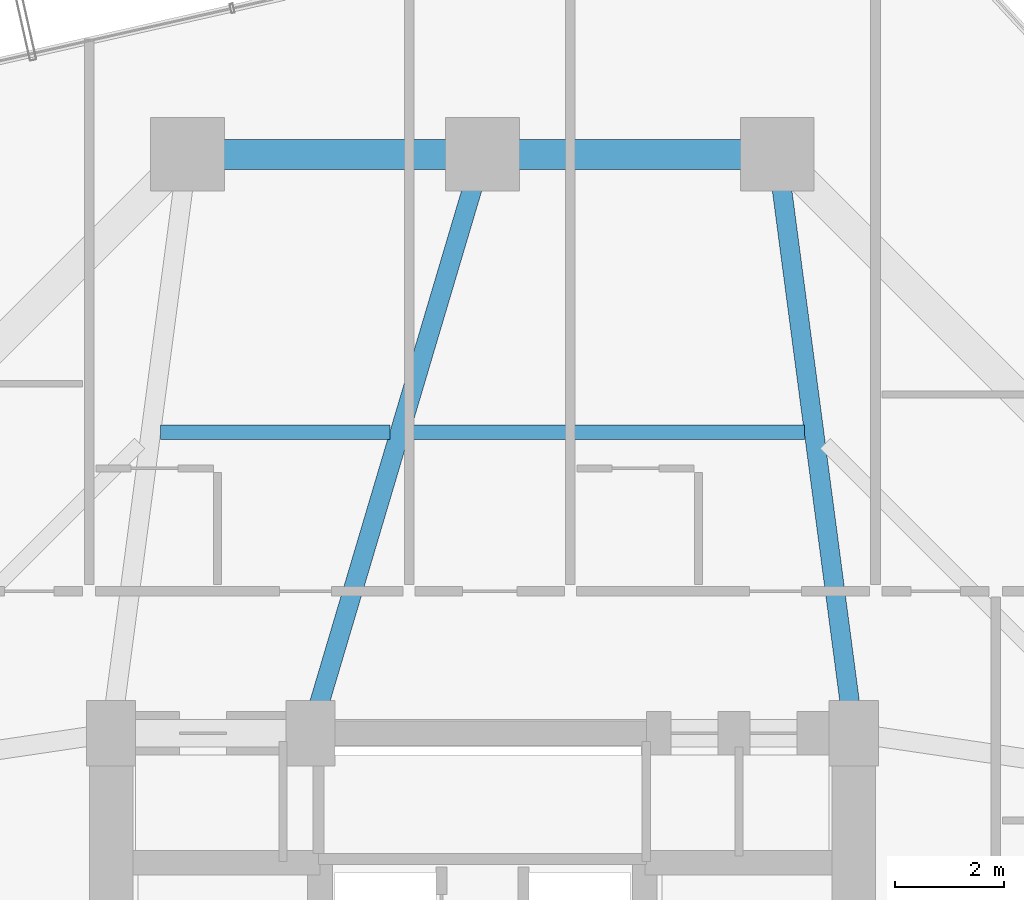
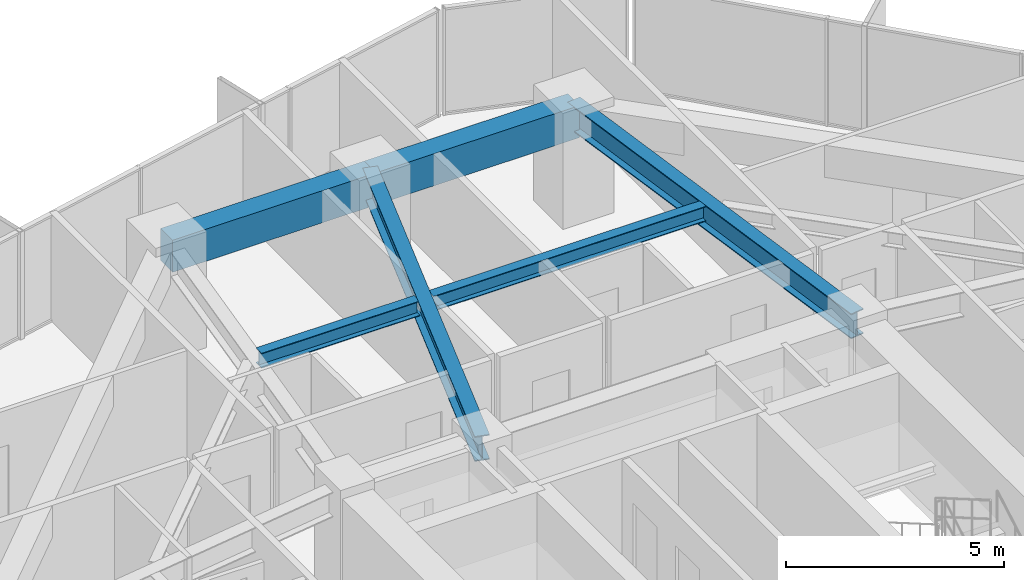
# One storey, part 25 of 39: 6 beams.
"""IFC4 building model written with IfcOpenShell, lengths in metres."""

from ifc_helpers import new_model, si_unit, direction, frame, origin, origin_2d, place, context, subcontext, project, spatial, rectangle, i_section, extrude, material, material_profile, profile_set, type_object, element, save


model = new_model("IFC4")

# Units and contexts
model_context = context("Model", 3, precision=1e-05, world=origin(), true_north=direction((0.0, 1.0)))
body_context = subcontext(model_context, "Body", "Model", "MODEL_VIEW")
ifc_project = project(units=[si_unit("LENGTHUNIT", "METRE"), si_unit("AREAUNIT", "SQUARE_METRE"), si_unit("VOLUMEUNIT", "CUBIC_METRE"), si_unit("PLANEANGLEUNIT", "RADIAN"), si_unit("MASSUNIT", "GRAM", prefix="KILO")], contexts=[model_context])

# Site, building, storey
site_placement = place(None, origin())
site = spatial("IfcSite", under=ifc_project, at=site_placement, CompositionType="ELEMENT")
building_placement = place(site_placement, origin())
building = spatial("IfcBuilding", under=site, at=building_placement, Name="Veraguas Prism Commons", CompositionType="ELEMENT")
storey_placement = place(building_placement, frame((0.0, 0.0, 67.35009765625)))
storey = spatial("IfcBuildingStorey", under=building, at=storey_placement, Name="L18", CompositionType="ELEMENT", Elevation=67.35009765625)

# Beams
ifc_material_1 = material(Name="Steel ASTM A992 Grade 50", Category="steel")
ifc_material_profile_1 = material_profile(ifc_material_1, i_section(OverallWidth=0.260986328125, OverallDepth=0.419921875, WebThickness=0.01171875, FlangeThickness=0.019287109375, at=origin_2d()), Name="W410X114")
ifc_profile_set_1 = profile_set([ifc_material_profile_1], Name="Steel ASTM A992 Grade 50")
beam_type_1 = type_object("IfcBeamType", Name="Lower Floor Joist W410x114", PredefinedType="JOIST", material=ifc_profile_set_1)
beam_1_placement = place(storey_placement, frame((29.89453125, 36.511962890625, 2.789794921875), z_axis=(-1.0, 0.0, 0.0), x_axis=(0.0, -1.0, 0.0)))
element("IfcBeam", 1, at=beam_1_placement, inside=storey, type_object=beam_type_1, Name="Composite Floor Joist L18-JS04", PredefinedType="JOIST", context=body_context, shape_type="SweptSolid", body=[
    extrude(i_section(OverallWidth=0.260986328125, OverallDepth=0.419921875, WebThickness=0.01171875, FlangeThickness=0.019287109375, at=origin_2d()), origin(), (0.0, 0.0, 1.0), 7.222900390625),
])
beam_2_placement = place(storey_placement, frame((22.304443359375, 36.511962890625, 2.789794921875), z_axis=(-1.0, 0.0, 0.0), x_axis=(0.0, -1.0, 0.0)))
element("IfcBeam", 2, at=beam_2_placement, inside=storey, type_object=beam_type_1, Name="Composite Floor Joist L18-JS05", PredefinedType="JOIST", context=body_context, shape_type="SweptSolid", body=[
    extrude(i_section(OverallWidth=0.260986328125, OverallDepth=0.419921875, WebThickness=0.01171875, FlangeThickness=0.019287109375, at=origin_2d()), origin(), (0.0, 0.0, 1.0), 4.198974609375),
])
ifc_material_2 = material(Name="Concrete C50/60", Category="concrete")
ifc_material_profile_2 = material_profile(ifc_material_2, rectangle(XDim=0.550048828125, YDim=0.89990234375, at=origin_2d()), Name="RC550X900")
ifc_profile_set_2 = profile_set([ifc_material_profile_2], Name="Concrete C50/60")
beam_type_2 = type_object("IfcBeamType", Name="Perimeter Spandrel Lower RC 550x900", PredefinedType="SPANDREL", material=ifc_profile_set_2)
for number, where, z_axis, x_axis, name in (
    (3, (29.39990234375, 41.60009765625, 2.5498046875), (-1.0, 0.0, 0.0), (0.0, -1.0, 0.0), "Perimeter Spandrel Beam L18-SP04"),
    (4, (24.0, 41.60009765625, 2.5498046875), (-1.0, 0.0, 0.0), (0.0, -1.0, 0.0), "Perimeter Spandrel Beam L18-SP05"),
):
    element("IfcBeam", number, at=place(storey_placement, frame(where, z_axis=z_axis, x_axis=x_axis)), inside=storey, type_object=beam_type_2, Name=name, PredefinedType="SPANDREL", context=body_context, shape_type="SweptSolid", body=[
        extrude(rectangle(XDim=0.550048828125, YDim=0.89990234375, at=origin_2d()), origin(), (0.0, 0.0, 1.0), 5.39990234375),
    ])
ifc_material_profile_3 = material_profile(ifc_material_1, i_section(OverallWidth=0.35595703125, OverallDepth=0.700927734375, WebThickness=0.016845703125, FlangeThickness=0.02734375, at=origin_2d()), Name="W690X240")
ifc_profile_set_3 = profile_set([ifc_material_profile_3], Name="Steel ASTM A992 Grade 50")
beam_type_3 = type_object("IfcBeamType", Name="Zone 1 Radial Girder W690x240", PredefinedType="BEAM", material=ifc_profile_set_3)
beam_3_placement = place(storey_placement, frame((29.39990234375, 41.60009765625, 2.6494140625), z_axis=(0.130950648891, -0.991388888154, 0.0), x_axis=(0.991388888154, 0.130950648891, 0.0)))
element("IfcBeam", 5, at=beam_3_placement, inside=storey, type_object=beam_type_3, Name="Radial Floor Girder L18-RD04", PredefinedType="BEAM", context=body_context, shape_type="SweptSolid", body=[
    extrude(i_section(OverallWidth=0.35595703125, OverallDepth=0.700927734375, WebThickness=0.016845703125, FlangeThickness=0.02734375, at=origin_2d()), origin(), (0.0, 0.0, 1.0), 10.692138671875),
])
beam_4_placement = place(storey_placement, frame((24.0, 41.60009765625, 2.6494140625), z_axis=(-0.28484745997, -0.958572858237, 0.0), x_axis=(0.958572858237, -0.28484745997, 0.0)))
element("IfcBeam", 6, at=beam_4_placement, inside=storey, type_object=beam_type_3, Name="Radial Floor Girder L18-RD05", PredefinedType="BEAM", context=body_context, shape_type="SweptSolid", body=[
    extrude(i_section(OverallWidth=0.35595703125, OverallDepth=0.700927734375, WebThickness=0.016845703125, FlangeThickness=0.02734375, at=origin_2d()), origin(), (0.0, 0.0, 1.0), 11.05810546875),
])

save(model, "model.ifc")
